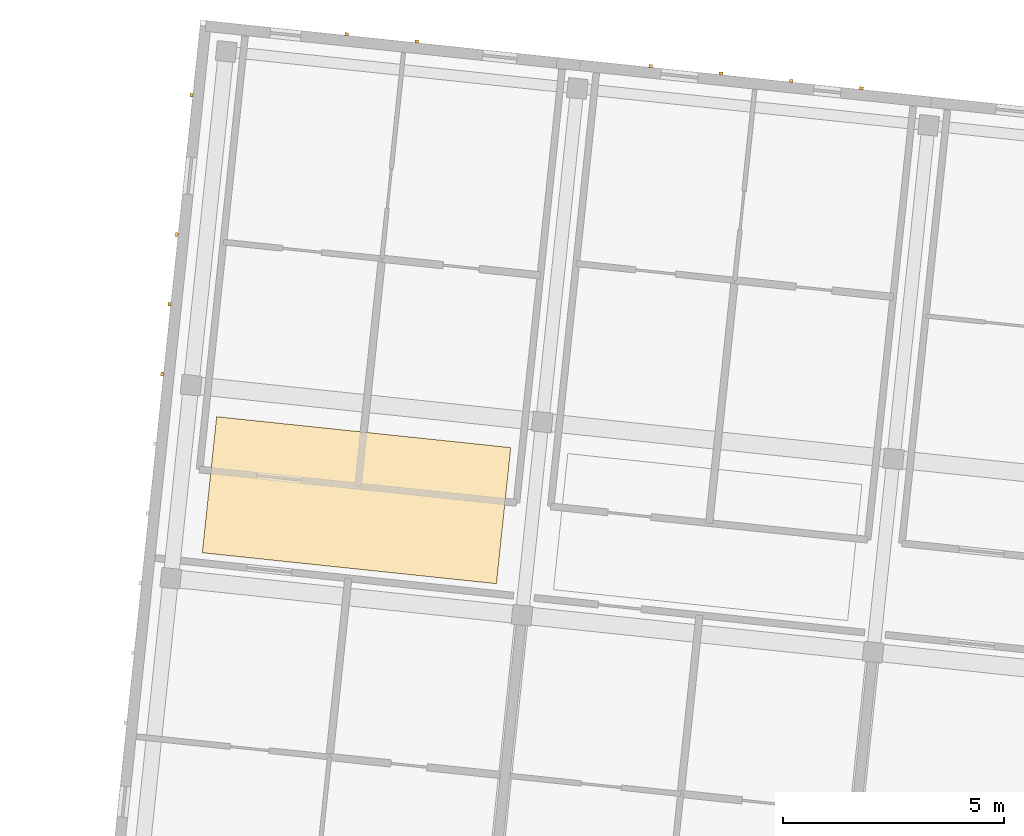
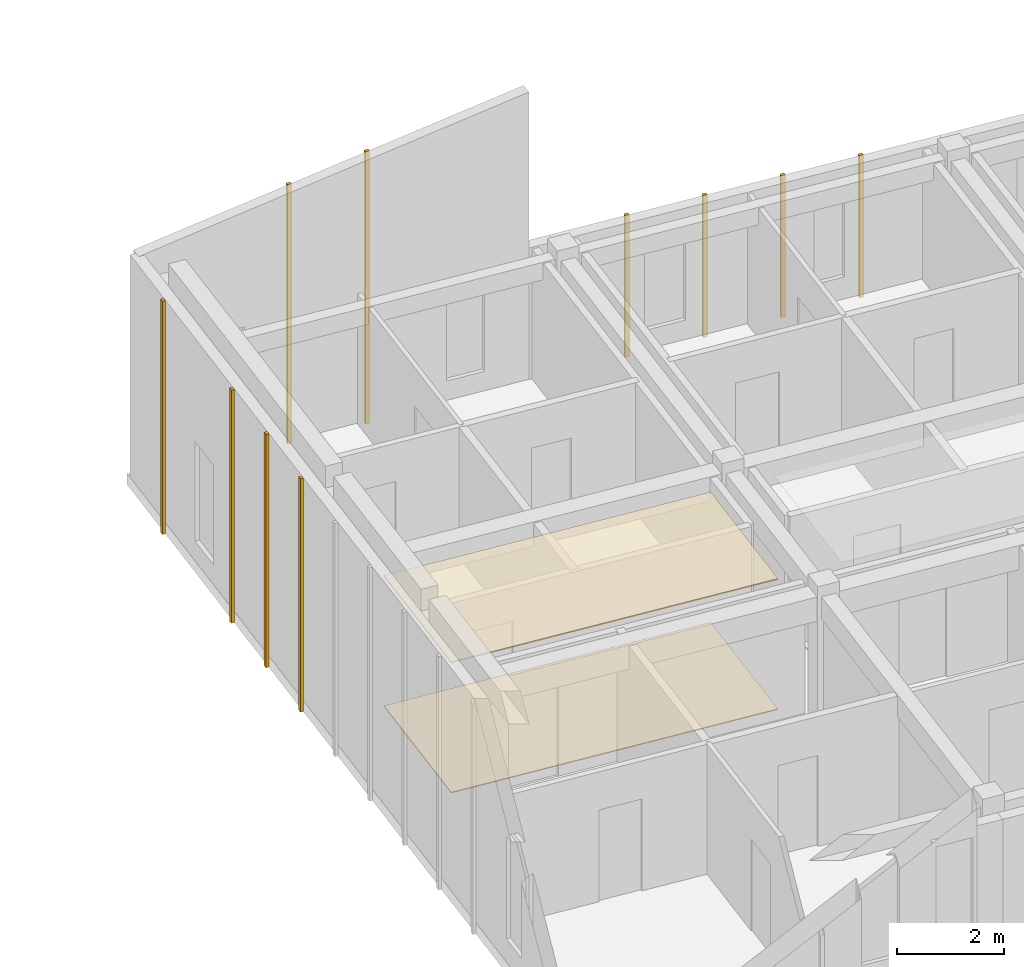
# One storey, part 40 of 45: 12 coverings.
"""IFC4 building model written with IfcOpenShell, lengths in metres."""

from ifc_helpers import new_model, si_unit, direction, frame, origin, origin_2d, place, context, subcontext, project, spatial, polyline, rectangle, outline, extrude, material, layer, layer_set, type_object, element, save


model = new_model("IFC4")

# Units and contexts
model_context = context("Model", 3, precision=1e-05, world=origin(), true_north=direction((0.0, 1.0)))
body_context = subcontext(model_context, "Body", "Model", "MODEL_VIEW")
ifc_project = project(units=[si_unit("LENGTHUNIT", "METRE"), si_unit("AREAUNIT", "SQUARE_METRE"), si_unit("VOLUMEUNIT", "CUBIC_METRE"), si_unit("PLANEANGLEUNIT", "RADIAN"), si_unit("MASSUNIT", "GRAM", prefix="KILO")], contexts=[model_context])

# Site, building, storey
site_placement = place(None, origin())
site = spatial("IfcSite", under=ifc_project, at=site_placement, CompositionType="ELEMENT")
building_placement = place(site_placement, origin())
building = spatial("IfcBuilding", under=site, at=building_placement, Name="Kestramere Prow Commons", CompositionType="ELEMENT")
storey_placement = place(building_placement, frame((0.0, 0.0, 31.14990234375)))
storey = spatial("IfcBuildingStorey", under=building, at=storey_placement, Name="L09", CompositionType="ELEMENT", Elevation=31.14990234375)

# Coverings
ifc_material_1 = material(Name="Mineral Fibre Acoustic Ceiling Tile")
ifc_layer_1 = layer(ifc_material_1, 0.02490234375)
ifc_layer_set_1 = layer_set([ifc_layer_1], Name="Mineral Fibre Acoustic Ceiling Tile")
covering_type_1 = type_object("IfcCoveringType", Name="COV-CEIL-ACOUSTIC", PredefinedType="CEILING", material=ifc_layer_set_1)
covering_1_placement = place(storey_placement, frame((0.0, 0.0, 2.97509765625)))
element("IfcCovering", 1, at=covering_1_placement, inside=storey, type_object=covering_type_1, Name="Block B L09 Corridor Acoustic Ceiling 1", PredefinedType="CEILING", context=body_context, shape_type="SweptSolid", body=[
    extrude(outline(polyline([(111.5087890625, 102.936767578125), (118.172119140625, 102.236572265625), (118.49609375, 105.319580078125), (111.832763671875, 106.019775390625), (111.5087890625, 102.936767578125)])), origin(), (0.0, 0.0, 1.0), 0.02490234375),
])
ifc_material_2 = material(Name="Weathered Zinc-Titanium Standing-Seam Cladding")
ifc_layer_2 = layer(ifc_material_2, 0.074951171875)
ifc_layer_set_2 = layer_set([ifc_layer_2], Name="Weathered Zinc-Titanium Standing-Seam Cladding")
covering_type_2 = type_object("IfcCoveringType", Name="COV-CLAD-SEAM", PredefinedType="CLADDING", material=ifc_layer_set_2)
covering_2_placement = place(storey_placement, frame((114.780029296875, 114.686767578125, -0.25), z_axis=(0.0, 0.0, 1.0), x_axis=(0.994521895368, -0.104528463268, 0.0)))
element("IfcCovering", 2, at=covering_2_placement, inside=storey, type_object=covering_type_2, Name="EW-B-L09-N-0 Standing-Seam Rib 2", PredefinedType="CLADDING", context=body_context, shape_type="SweptSolid", body=[
    extrude(rectangle(XDim=0.0849609375, YDim=0.06494140625, at=origin_2d()), origin(), (0.0, 0.0, 1.0), 5.92822265625),
])
covering_3_placement = place(storey_placement, frame((116.37109375, 114.51953125, -0.25), z_axis=(0.0, 0.0, 1.0), x_axis=(0.994521895368, -0.104528463268, 0.0)))
element("IfcCovering", 3, at=covering_3_placement, inside=storey, type_object=covering_type_2, Name="EW-B-L09-N-0 Standing-Seam Rib 3", PredefinedType="CLADDING", context=body_context, shape_type="SweptSolid", body=[
    extrude(rectangle(XDim=0.0849609375, YDim=0.06494140625, at=origin_2d()), origin(), (0.0, 0.0, 1.0), 6.22509765625),
])
for number, where, z_axis, x_axis, name in (
    (4, (121.6669921875, 113.962890625, -0.25), (0.0, 0.0, 1.0), (0.994521895368, -0.104528463268, 0.0), "EW-B-L09-N-1 Standing-Seam Rib 1"),
    (5, (123.25830078125, 113.795654296875, -0.25), (0.0, 0.0, 1.0), (0.994521895368, -0.104528463268, 0.0), "EW-B-L09-N-1 Standing-Seam Rib 2"),
    (6, (124.849365234375, 113.62841796875, -0.25), (0.0, 0.0, 1.0), (0.994521895368, -0.104528463268, 0.0), "EW-B-L09-N-1 Standing-Seam Rib 3"),
    (7, (126.440673828125, 113.461181640625, -0.25), (0.0, 0.0, 1.0), (0.994521895368, -0.104528463268, 0.0), "EW-B-L09-N-1 Standing-Seam Rib 4"),
):
    element("IfcCovering", number, at=place(storey_placement, frame(where, z_axis=z_axis, x_axis=x_axis)), inside=storey, type_object=covering_type_2, Name=name, PredefinedType="CLADDING", context=body_context, shape_type="SweptSolid", body=[
        extrude(rectangle(XDim=0.0849609375, YDim=0.06494140625, at=origin_2d()), origin(), (0.0, 0.0, 1.0), 3.25),
    ])
for number, where, z_axis, x_axis, name in (
    (8, (110.599609375, 106.98681640625, -0.25), (0.0, 0.0, 1.0), (0.104528463268, 0.994521895368, 0.0), "EW-B-L09-EAV Standing-Seam Rib 8"),
    (9, (110.765625, 108.566650390625, -0.25), (0.0, 0.0, 1.0), (0.104528463268, 0.994521895368, 0.0), "EW-B-L09-EAV Standing-Seam Rib 9"),
    (10, (110.931640625, 110.146240234375, -0.25), (0.0, 0.0, 1.0), (0.104528463268, 0.994521895368, 0.0), "EW-B-L09-EAV Standing-Seam Rib 10"),
    (11, (111.263916015625, 113.305908203125, -0.25), (0.0, 0.0, 1.0), (0.104528463268, 0.994521895368, 0.0), "EW-B-L09-EAV Standing-Seam Rib 12"),
):
    element("IfcCovering", number, at=place(storey_placement, frame(where, z_axis=z_axis, x_axis=x_axis)), inside=storey, type_object=covering_type_2, Name=name, PredefinedType="CLADDING", context=body_context, shape_type="SweptSolid", body=[
        extrude(rectangle(XDim=0.0849609375, YDim=0.06494140625, at=origin_2d()), origin(), (0.0, 0.0, 1.0), 5.33447265625),
    ])
ifc_material_3 = material(Name="Honed Cementitious Terrazzo Tile")
ifc_layer_3 = layer(ifc_material_3, 0.02001953125)
ifc_layer_set_3 = layer_set([ifc_layer_3], Name="Honed Cementitious Terrazzo Tile")
covering_type_3 = type_object("IfcCoveringType", Name="COV-FLOOR-TERRAZZO", PredefinedType="FLOORING", material=ifc_layer_set_3)
covering_4_placement = place(storey_placement, origin())
element("IfcCovering", 12, at=covering_4_placement, inside=storey, type_object=covering_type_3, Name="Block B L09 Corridor Terrazzo Flooring 1", PredefinedType="FLOORING", context=body_context, shape_type="SweptSolid", body=[
    extrude(outline(polyline([(111.5087890625, 102.936767578125), (118.172119140625, 102.236572265625), (118.49609375, 105.319580078125), (111.832763671875, 106.019775390625), (111.5087890625, 102.936767578125)])), origin(), (0.0, 0.0, 1.0), 0.02001953125),
])

save(model, "model.ifc")
